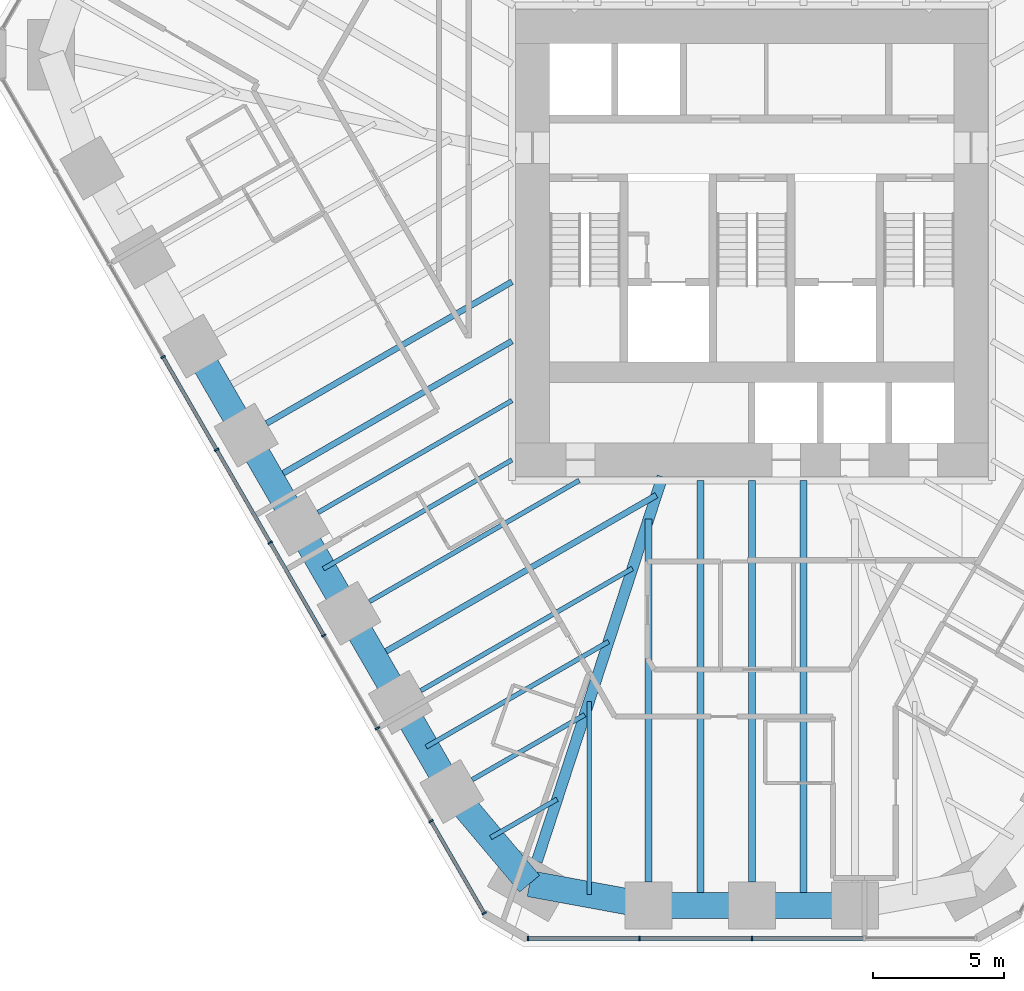
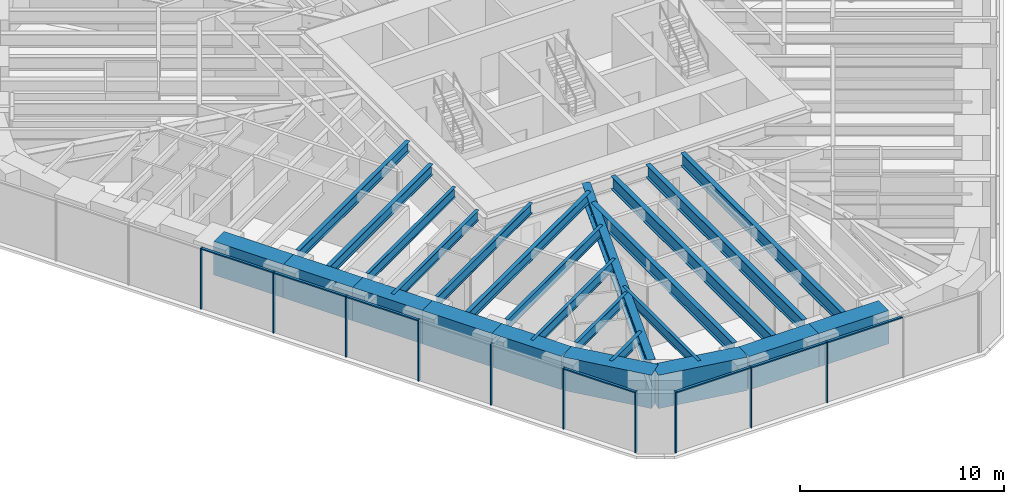
# One storey, part 2 of 17: 25 beams, 17 members, 2 elements without a shape of their own.
"""IFC4 building model written with IfcOpenShell, lengths in metres."""

from ifc_helpers import new_model, si_unit, direction, frame, origin, origin_2d, place, context, subcontext, project, spatial, rectangle, i_section, extrude, material, material_profile, profile_set, type_object, element, aggregate, save


model = new_model("IFC4")

# Units and contexts
model_context = context("Model", 3, precision=1e-05, world=origin(), true_north=direction((0.0, 1.0)))
body_context = subcontext(model_context, "Body", "Model", "MODEL_VIEW")
ifc_project = project(units=[si_unit("LENGTHUNIT", "METRE"), si_unit("AREAUNIT", "SQUARE_METRE"), si_unit("VOLUMEUNIT", "CUBIC_METRE"), si_unit("PLANEANGLEUNIT", "RADIAN"), si_unit("MASSUNIT", "GRAM", prefix="KILO")], contexts=[model_context])

# Site, building, storey
site_placement = place(None, origin())
site = spatial("IfcSite", under=ifc_project, at=site_placement, CompositionType="ELEMENT")
building_placement = place(site_placement, origin())
building = spatial("IfcBuilding", under=site, at=building_placement, Name="Sandreach Pilgrim Tower", CompositionType="ELEMENT")
storey_placement = place(building_placement, frame((0.0, 0.0, 146.199951171875)))
storey = spatial("IfcBuildingStorey", under=building, at=storey_placement, Name="L36", CompositionType="ELEMENT", Elevation=146.199951171875)

# Curtain wall, members
ifc_material_1 = material(Name="Aluminium framed curtain wall", Category="aluminium")
curtain_wall_type = type_object("IfcCurtainWallType", Name="Hotel tower curtain wall", PredefinedType="NOTDEFINED", material=ifc_material_1)
curtain_wall_1_placement = place(storey_placement, origin())
curtain_wall_1 = element("IfcCurtainWall", 1, at=curtain_wall_1_placement, inside=storey, type_object=curtain_wall_type, Name="CW-2 L36 S", PredefinedType="NOTDEFINED")
ifc_material_2 = material(Name="Aluminium extrusion", Category="aluminium")
ifc_material_profile_1 = material_profile(ifc_material_2, rectangle(XDim=0.06494140625, YDim=0.179931640625, at=origin_2d()), Name="CW-2M 65X180")
ifc_profile_set_1 = profile_set([ifc_material_profile_1], Name="Aluminium extrusion")
member_type_1 = type_object("IfcMemberType", Name="CW-2 mullion", PredefinedType="MULLION", material=ifc_profile_set_1)
member_1_placement = place(storey_placement, frame((0.0, -28.192138671875, 0.0), z_axis=(0.0, 0.0, 1.0), x_axis=(-1.0, 0.0, 0.0)))
member_1 = element("IfcMember", 2, at=member_1_placement, type_object=member_type_1, Name="CW-2 mullion 3", PredefinedType="MULLION", context=body_context, shape_type="SweptSolid", body=[
    extrude(rectangle(XDim=0.06494140625, YDim=0.179931640625, at=origin_2d()), origin(), (0.0, 0.0, 1.0), 3.64013671875),
])
member_2_placement = place(storey_placement, frame((-4.3056640625, -28.192138671875, 0.0), z_axis=(0.0, 0.0, 1.0), x_axis=(-1.0, 0.0, 0.0)))
member_2 = element("IfcMember", 3, at=member_2_placement, type_object=member_type_1, Name="CW-2 mullion 4", PredefinedType="MULLION", context=body_context, shape_type="SweptSolid", body=[
    extrude(rectangle(XDim=0.06494140625, YDim=0.179931640625, at=origin_2d()), origin(), (0.0, 0.0, 1.0), 3.64013671875),
])
member_3_placement = place(storey_placement, frame((-8.578857421875, -28.192138671875, 0.0), z_axis=(0.0, 0.0, 1.0), x_axis=(-1.0, 0.0, 0.0)))
member_3 = element("IfcMember", 4, at=member_3_placement, type_object=member_type_1, Name="CW-2 mullion 5", PredefinedType="MULLION", context=body_context, shape_type="SweptSolid", body=[
    extrude(rectangle(XDim=0.06494140625, YDim=0.179931640625, at=origin_2d()), origin(), (0.0, 0.0, 1.0), 3.64013671875),
])

curtain_wall_2_placement = place(storey_placement, origin())
curtain_wall_2 = element("IfcCurtainWall", 5, at=curtain_wall_2_placement, inside=storey, type_object=curtain_wall_type, Name="CW-2 L36 SW", PredefinedType="NOTDEFINED")
member_4_placement = place(storey_placement, frame((-10.255859375, -27.22412109375, 0.0), z_axis=(0.0, 0.0, 1.0), x_axis=(-0.5, 0.866025403784, 0.0)))
member_4 = element("IfcMember", 6, at=member_4_placement, type_object=member_type_1, Name="CW-2 mullion 1", PredefinedType="MULLION", context=body_context, shape_type="SweptSolid", body=[
    extrude(rectangle(XDim=0.06494140625, YDim=0.179931640625, at=origin_2d()), origin(), (0.0, 0.0, 1.0), 3.64013671875),
])
member_5_placement = place(storey_placement, frame((-12.29296875, -23.695556640625, 0.0), z_axis=(0.0, 0.0, 1.0), x_axis=(-0.5, 0.866025403784, 0.0)))
member_5 = element("IfcMember", 7, at=member_5_placement, type_object=member_type_1, Name="CW-2 mullion 2", PredefinedType="MULLION", context=body_context, shape_type="SweptSolid", body=[
    extrude(rectangle(XDim=0.06494140625, YDim=0.179931640625, at=origin_2d()), origin(), (0.0, 0.0, 1.0), 3.64013671875),
])
member_6_placement = place(storey_placement, frame((-14.346435546875, -20.138671875, 0.0), z_axis=(0.0, 0.0, 1.0), x_axis=(-0.5, 0.866025403784, 0.0)))
member_6 = element("IfcMember", 8, at=member_6_placement, type_object=member_type_1, Name="CW-2 mullion 3", PredefinedType="MULLION", context=body_context, shape_type="SweptSolid", body=[
    extrude(rectangle(XDim=0.06494140625, YDim=0.179931640625, at=origin_2d()), origin(), (0.0, 0.0, 1.0), 3.64013671875),
])
member_7_placement = place(storey_placement, frame((-16.39990234375, -16.58203125, 0.0), z_axis=(0.0, 0.0, 1.0), x_axis=(-0.5, 0.866025403784, 0.0)))
member_7 = element("IfcMember", 9, at=member_7_placement, type_object=member_type_1, Name="CW-2 mullion 4", PredefinedType="MULLION", context=body_context, shape_type="SweptSolid", body=[
    extrude(rectangle(XDim=0.06494140625, YDim=0.179931640625, at=origin_2d()), origin(), (0.0, 0.0, 1.0), 3.64013671875),
])
member_8_placement = place(storey_placement, frame((-18.453369140625, -13.025146484375, 0.0), z_axis=(0.0, 0.0, 1.0), x_axis=(-0.5, 0.866025403784, 0.0)))
member_8 = element("IfcMember", 10, at=member_8_placement, type_object=member_type_1, Name="CW-2 mullion 5", PredefinedType="MULLION", context=body_context, shape_type="SweptSolid", body=[
    extrude(rectangle(XDim=0.06494140625, YDim=0.179931640625, at=origin_2d()), origin(), (0.0, 0.0, 1.0), 3.64013671875),
])
member_9_placement = place(storey_placement, frame((-20.5068359375, -9.468505859375, 0.0), z_axis=(0.0, 0.0, 1.0), x_axis=(-0.5, 0.866025403784, 0.0)))
member_9 = element("IfcMember", 11, at=member_9_placement, type_object=member_type_1, Name="CW-2 mullion 6", PredefinedType="MULLION", context=body_context, shape_type="SweptSolid", body=[
    extrude(rectangle(XDim=0.06494140625, YDim=0.179931640625, at=origin_2d()), origin(), (0.0, 0.0, 1.0), 3.64013671875),
])
member_10_placement = place(storey_placement, frame((-22.560302734375, -5.911865234375, 0.0), z_axis=(0.0, 0.0, 1.0), x_axis=(-0.5, 0.866025403784, 0.0)))
member_10 = element("IfcMember", 12, at=member_10_placement, type_object=member_type_1, Name="CW-2 mullion 7", PredefinedType="MULLION", context=body_context, shape_type="SweptSolid", body=[
    extrude(rectangle(XDim=0.06494140625, YDim=0.179931640625, at=origin_2d()), origin(), (0.0, 0.0, 1.0), 3.64013671875),
])

# Member
ifc_material_3 = material(Name="Aluminium extrusion", Category="aluminium")
ifc_material_profile_2 = material_profile(ifc_material_3, rectangle(XDim=0.139892578125, YDim=0.070068359375, at=origin_2d()), Name="CW-2T 140X70")
ifc_profile_set_2 = profile_set([ifc_material_profile_2], Name="Aluminium extrusion")
member_type_2 = type_object("IfcMemberType", Name="CW-2 transom", PredefinedType="USERDEFINED", material=ifc_profile_set_2)
member_11_placement = place(storey_placement, frame((4.273193359375, -28.192138671875, 3.60498046875), z_axis=(-1.0, 0.0, 0.0), x_axis=(0.0, -1.0, 0.0)))
member_11 = element("IfcMember", 13, at=member_11_placement, type_object=member_type_2, Name="CW-2 head transom 2", ObjectType="TRANSOM", PredefinedType="USERDEFINED", context=body_context, shape_type="SweptSolid", body=[
    extrude(rectangle(XDim=0.139892578125, YDim=0.070068359375, at=origin_2d()), origin(), (0.0, 0.0, 1.0), 4.24072265625),
])

member_12_placement = place(storey_placement, frame((-0.032470703125, -28.192138671875, 3.60498046875), z_axis=(-1.0, 0.0, 0.0), x_axis=(0.0, -1.0, 0.0)))
member_12 = element("IfcMember", 14, at=member_12_placement, type_object=member_type_2, Name="CW-2 head transom 3", ObjectType="TRANSOM", PredefinedType="USERDEFINED", context=body_context, shape_type="SweptSolid", body=[
    extrude(rectangle(XDim=0.139892578125, YDim=0.070068359375, at=origin_2d()), origin(), (0.0, 0.0, 1.0), 4.24072265625),
])

member_13_placement = place(storey_placement, frame((-4.338134765625, -28.192138671875, 3.60498046875), z_axis=(-1.0, 0.0, 0.0), x_axis=(0.0, -1.0, 0.0)))
member_13 = element("IfcMember", 15, at=member_13_placement, type_object=member_type_2, Name="CW-2 head transom 4", ObjectType="TRANSOM", PredefinedType="USERDEFINED", context=body_context, shape_type="SweptSolid", body=[
    extrude(rectangle(XDim=0.139892578125, YDim=0.070068359375, at=origin_2d()), origin(), (0.0, 0.0, 1.0), 4.208251953125),
])

aggregate(curtain_wall_1, [member_1, member_2, member_3, member_11, member_12, member_13])

member_14_placement = place(storey_placement, frame((-10.27197265625, -27.196044921875, 3.60498046875), z_axis=(-0.500015851672, 0.866016251624, 0.0), x_axis=(-0.866016251624, -0.500015851672, 0.0)))
member_14 = element("IfcMember", 16, at=member_14_placement, type_object=member_type_2, Name="CW-2 head transom 1", ObjectType="TRANSOM", PredefinedType="USERDEFINED", context=body_context, shape_type="SweptSolid", body=[
    extrude(rectangle(XDim=0.139892578125, YDim=0.070068359375, at=origin_2d()), origin(), (0.0, 0.0, 1.0), 4.009521484375),
])

member_15_placement = place(storey_placement, frame((-16.416259765625, -16.553955078125, 3.60498046875), z_axis=(-0.499997818338, 0.866026663364, 0.0), x_axis=(-0.866026663364, -0.499997818338, 0.0)))
member_15 = element("IfcMember", 17, at=member_15_placement, type_object=member_type_2, Name="CW-2 head transom 4", ObjectType="TRANSOM", PredefinedType="USERDEFINED", context=body_context, shape_type="SweptSolid", body=[
    extrude(rectangle(XDim=0.139892578125, YDim=0.070068359375, at=origin_2d()), origin(), (0.0, 0.0, 1.0), 4.0419921875),
])

member_16_placement = place(storey_placement, frame((-18.4697265625, -12.9970703125, 3.60498046875), z_axis=(-0.499997818338, 0.866026663364, 0.0), x_axis=(-0.866026663364, -0.499997818338, 0.0)))
member_16 = element("IfcMember", 18, at=member_16_placement, type_object=member_type_2, Name="CW-2 head transom 5", ObjectType="TRANSOM", PredefinedType="USERDEFINED", context=body_context, shape_type="SweptSolid", body=[
    extrude(rectangle(XDim=0.139892578125, YDim=0.070068359375, at=origin_2d()), origin(), (0.0, 0.0, 1.0), 4.0419921875),
])

member_17_placement = place(storey_placement, frame((-20.523193359375, -9.4404296875, 3.60498046875), z_axis=(-0.499997818338, 0.866026663364, 0.0), x_axis=(-0.866026663364, -0.499997818338, 0.0)))
member_17 = element("IfcMember", 19, at=member_17_placement, type_object=member_type_2, Name="CW-2 head transom 6", ObjectType="TRANSOM", PredefinedType="USERDEFINED", context=body_context, shape_type="SweptSolid", body=[
    extrude(rectangle(XDim=0.139892578125, YDim=0.070068359375, at=origin_2d()), origin(), (0.0, 0.0, 1.0), 4.0419921875),
])

aggregate(curtain_wall_2, [member_4, member_5, member_6, member_7, member_8, member_9, member_10, member_14, member_15, member_16, member_17])

# Beams
ifc_material_4 = material(Name="Steel ASTM A992 Grade 50", Category="steel")
ifc_material_profile_3 = material_profile(ifc_material_4, i_section(OverallWidth=0.421630859375, OverallDepth=0.937255859375, WebThickness=0.0224609375, FlangeThickness=0.039794921875, at=origin_2d()), Name="W36X282")
ifc_profile_set_3 = profile_set([ifc_material_profile_3], Name="Steel ASTM A992 Grade 50")
beam_type_1 = type_object("IfcBeamType", Name="Corner girder W36X282", PredefinedType="BEAM", material=ifc_profile_set_3)
beam_1_placement = place(storey_placement, frame((-8.238525390625, -25.23876953125, 3.17138671875), z_axis=(0.310307109519, 0.950636364643, 0.0), x_axis=(-0.950636364643, 0.310307109519, 0.0)))
element("IfcBeam", 20, at=beam_1_placement, inside=storey, type_object=beam_type_1, Name="BM L36 CG26", PredefinedType="BEAM", context=body_context, shape_type="SweptSolid", body=[
    extrude(i_section(OverallWidth=0.421630859375, OverallDepth=0.937255859375, WebThickness=0.0224609375, FlangeThickness=0.039794921875, at=origin_2d()), origin(), (0.0, 0.0, 1.0), 15.504150390625),
])
ifc_material_5 = material(Name="Steel ASTM A992 Grade 50", Category="steel")
ifc_material_profile_4 = material_profile(ifc_material_5, i_section(OverallWidth=0.1787109375, OverallDepth=0.60205078125, WebThickness=0.010986328125, FlangeThickness=0.014892578125, at=origin_2d()), Name="W24X62")
ifc_profile_set_4 = profile_set([ifc_material_profile_4], Name="Steel ASTM A992 Grade 50")
beam_type_2 = type_object("IfcBeamType", Name="Floor beam W24X62", PredefinedType="BEAM", material=ifc_profile_set_4)
beam_2_placement = place(storey_placement, frame((-10.714599609375, -22.109130859375, 3.339111328125), z_axis=(0.866024645457, 0.500001313459, 0.0), x_axis=(-0.500001313459, 0.866024645457, 0.0)))
element("IfcBeam", 21, at=beam_2_placement, inside=storey, type_object=beam_type_2, Name="BM L36 F27", PredefinedType="BEAM", context=body_context, shape_type="SweptSolid", body=[
    extrude(i_section(OverallWidth=0.1787109375, OverallDepth=0.60205078125, WebThickness=0.010986328125, FlangeThickness=0.014892578125, at=origin_2d()), origin(), (0.0, 0.0, 1.0), 4.9765625),
])
beam_3_placement = place(storey_placement, frame((-12.6845703125, -18.697265625, 3.339111328125), z_axis=(0.866012351917, 0.500022605817, 0.0), x_axis=(-0.500022605817, 0.866012351917, 0.0)))
element("IfcBeam", 22, at=beam_3_placement, inside=storey, type_object=beam_type_2, Name="BM L36 F28", PredefinedType="BEAM", context=body_context, shape_type="SweptSolid", body=[
    extrude(i_section(OverallWidth=0.1787109375, OverallDepth=0.60205078125, WebThickness=0.010986328125, FlangeThickness=0.014892578125, at=origin_2d()), origin(), (0.0, 0.0, 1.0), 9.3642578125),
])
beam_4_placement = place(storey_placement, frame((-14.654541015625, -15.28515625, 3.339111328125), z_axis=(0.866015659929, 0.500016876472, 0.0), x_axis=(-0.500016876472, 0.866015659929, 0.0)))
element("IfcBeam", 23, at=beam_4_placement, inside=storey, type_object=beam_type_2, Name="BM L36 F29", PredefinedType="BEAM", context=body_context, shape_type="SweptSolid", body=[
    extrude(i_section(OverallWidth=0.1787109375, OverallDepth=0.60205078125, WebThickness=0.010986328125, FlangeThickness=0.014892578125, at=origin_2d()), origin(), (0.0, 0.0, 1.0), 9.283447265625),
])
beam_5_placement = place(storey_placement, frame((-16.62451171875, -11.873046875, 3.339111328125), z_axis=(0.866017857595, 0.500013070155, 0.0), x_axis=(-0.500013070155, 0.866017857595, 0.0)))
element("IfcBeam", 24, at=beam_5_placement, inside=storey, type_object=beam_type_2, Name="BM L36 F30", PredefinedType="BEAM", context=body_context, shape_type="SweptSolid", body=[
    extrude(i_section(OverallWidth=0.1787109375, OverallDepth=0.60205078125, WebThickness=0.010986328125, FlangeThickness=0.014892578125, at=origin_2d()), origin(), (0.0, 0.0, 1.0), 8.580810546875),
])
beam_6_placement = place(storey_placement, frame((-6.236572265625, -26.51318359375, 3.339111328125), z_axis=(0.0, 1.0, 0.0), x_axis=(-1.0, 0.0, 0.0)))
element("IfcBeam", 25, at=beam_6_placement, inside=storey, type_object=beam_type_2, Name="BM L36 FM25", PredefinedType="BEAM", context=body_context, shape_type="SweptSolid", body=[
    extrude(i_section(OverallWidth=0.1787109375, OverallDepth=0.60205078125, WebThickness=0.010986328125, FlangeThickness=0.014892578125, at=origin_2d()), origin(), (0.0, 0.0, 1.0), 7.40771484375),
])
beam_7_placement = place(storey_placement, frame((-10.006103515625, -24.326904296875, 3.339111328125), z_axis=(0.866015396618, 0.500017332519, 0.0), x_axis=(-0.500017332519, 0.866015396618, 0.0)))
element("IfcBeam", 26, at=beam_7_placement, inside=storey, type_object=beam_type_2, Name="BM L36 FM26", PredefinedType="BEAM", context=body_context, shape_type="SweptSolid", body=[
    extrude(i_section(OverallWidth=0.1787109375, OverallDepth=0.60205078125, WebThickness=0.010986328125, FlangeThickness=0.014892578125, at=origin_2d()), origin(), (0.0, 0.0, 1.0), 2.9384765625),
])
beam_8_placement = place(storey_placement, frame((-12.47900390625, -20.853271484375, 3.339111328125), z_axis=(0.866017328257, 0.500013986963, 0.0), x_axis=(-0.500013986963, 0.866017328257, 0.0)))
element("IfcBeam", 27, at=beam_8_placement, inside=storey, type_object=beam_type_2, Name="BM L36 FM27", PredefinedType="BEAM", context=body_context, shape_type="SweptSolid", body=[
    extrude(i_section(OverallWidth=0.1787109375, OverallDepth=0.60205078125, WebThickness=0.010986328125, FlangeThickness=0.014892578125, at=origin_2d()), origin(), (0.0, 0.0, 1.0), 8.070556640625),
])
beam_9_placement = place(storey_placement, frame((-16.4189453125, -14.029052734375, 3.339111328125), z_axis=(0.866016009309, 0.500016271356, 0.0), x_axis=(-0.500016271356, 0.866016009309, 0.0)))
element("IfcBeam", 28, at=beam_9_placement, inside=storey, type_object=beam_type_2, Name="BM L36 FM29", PredefinedType="BEAM", context=body_context, shape_type="SweptSolid", body=[
    extrude(i_section(OverallWidth=0.1787109375, OverallDepth=0.60205078125, WebThickness=0.010986328125, FlangeThickness=0.014892578125, at=origin_2d()), origin(), (0.0, 0.0, 1.0), 8.343505859375),
])
ifc_material_6 = material(Name="Steel ASTM A992 Grade 50", Category="steel")
ifc_material_profile_5 = material_profile(ifc_material_6, i_section(OverallWidth=0.23046875, OverallDepth=0.6171875, WebThickness=0.01318359375, FlangeThickness=0.022216796875, at=origin_2d()), Name="W24X94")
ifc_profile_set_5 = profile_set([ifc_material_profile_5], Name="Steel ASTM A992 Grade 50")
beam_type_3 = type_object("IfcBeamType", Name="Floor beam W24X94", PredefinedType="BEAM", material=ifc_profile_set_5)
beam_10_placement = place(storey_placement, frame((-18.594482421875, -8.4609375, 3.33154296875), z_axis=(0.866015926388, 0.500016414973, 0.0), x_axis=(-0.500016414973, 0.866015926388, 0.0)))
element("IfcBeam", 29, at=beam_10_placement, inside=storey, type_object=beam_type_3, Name="BM L36 F31", PredefinedType="BEAM", context=body_context, shape_type="SweptSolid", body=[
    extrude(i_section(OverallWidth=0.23046875, OverallDepth=0.6171875, WebThickness=0.01318359375, FlangeThickness=0.022216796875, at=origin_2d()), origin(), (0.0, 0.0, 1.0), 10.855712890625),
])
beam_11_placement = place(storey_placement, frame((-14.448974609375, -17.441162109375, 3.33154296875), z_axis=(0.866019150617, 0.500010830648, 0.0), x_axis=(-0.500010830648, 0.866019150617, 0.0)))
element("IfcBeam", 30, at=beam_11_placement, inside=storey, type_object=beam_type_3, Name="BM L36 FM28", PredefinedType="BEAM", context=body_context, shape_type="SweptSolid", body=[
    extrude(i_section(OverallWidth=0.23046875, OverallDepth=0.6171875, WebThickness=0.01318359375, FlangeThickness=0.022216796875, at=origin_2d()), origin(), (0.0, 0.0, 1.0), 12.458251953125),
])
beam_12_placement = place(storey_placement, frame((-18.388916015625, -10.616943359375, 3.33154296875), z_axis=(0.866024387147, 0.500001760863, 0.0), x_axis=(-0.500001760863, 0.866024387147, 0.0)))
element("IfcBeam", 31, at=beam_12_placement, inside=storey, type_object=beam_type_3, Name="BM L36 FM30", PredefinedType="BEAM", context=body_context, shape_type="SweptSolid", body=[
    extrude(i_section(OverallWidth=0.23046875, OverallDepth=0.6171875, WebThickness=0.01318359375, FlangeThickness=0.022216796875, at=origin_2d()), origin(), (0.0, 0.0, 1.0), 10.6181640625),
])
ifc_material_7 = material(Name="Steel ASTM A992 Grade 50", Category="steel")
ifc_material_profile_6 = material_profile(ifc_material_7, i_section(OverallWidth=0.2666015625, OverallDepth=0.761962890625, WebThickness=0.014404296875, FlangeThickness=0.021484375, at=origin_2d()), Name="W30X116")
ifc_profile_set_6 = profile_set([ifc_material_profile_6], Name="Steel ASTM A992 Grade 50")
beam_type_4 = type_object("IfcBeamType", Name="Floor beam W30X116", PredefinedType="BEAM", material=ifc_profile_set_6)
beam_13_placement = place(storey_placement, frame((-3.955322265625, -26.0322265625, 3.259033203125), z_axis=(0.0, 1.0, 0.0), x_axis=(-1.0, 0.0, 0.0)))
element("IfcBeam", 32, at=beam_13_placement, inside=storey, type_object=beam_type_4, Name="BM L36 F25", PredefinedType="BEAM", context=body_context, shape_type="SweptSolid", body=[
    extrude(i_section(OverallWidth=0.2666015625, OverallDepth=0.761962890625, WebThickness=0.014404296875, FlangeThickness=0.021484375, at=origin_2d()), origin(), (0.0, 0.0, 1.0), 13.91552734375),
])
ifc_material_8 = material(Name="Steel ASTM A992 Grade 50", Category="steel")
ifc_material_profile_7 = material_profile(ifc_material_8, i_section(OverallWidth=0.2666015625, OverallDepth=0.77978515625, WebThickness=0.0166015625, FlangeThickness=0.030029296875, at=origin_2d()), Name="W30X148")
ifc_profile_set_7 = profile_set([ifc_material_profile_7], Name="Steel ASTM A992 Grade 50")
beam_type_5 = type_object("IfcBeamType", Name="Floor beam W30X148", PredefinedType="BEAM", material=ifc_profile_set_7)
beam_14_placement = place(storey_placement, frame((0.0, -26.0322265625, 3.250244140625), z_axis=(0.0, 1.0, 0.0), x_axis=(-1.0, 0.0, 0.0)))
element("IfcBeam", 33, at=beam_14_placement, inside=storey, type_object=beam_type_5, Name="BM L36 F24", PredefinedType="BEAM", context=body_context, shape_type="SweptSolid", body=[
    extrude(i_section(OverallWidth=0.2666015625, OverallDepth=0.77978515625, WebThickness=0.0166015625, FlangeThickness=0.030029296875, at=origin_2d()), origin(), (0.0, 0.0, 1.0), 15.388916015625),
])
for number, where, z_axis, x_axis, name in (
    (34, (1.9775390625, -26.93212890625, 3.250244140625), (0.0, 1.0, 0.0), (-1.0, 0.0, 0.0), "BM L36 FM23"),
    (35, (-1.9775390625, -26.93212890625, 3.250244140625), (0.0, 1.0, 0.0), (-1.0, 0.0, 0.0), "BM L36 FM24"),
):
    element("IfcBeam", number, at=place(storey_placement, frame(where, z_axis=z_axis, x_axis=x_axis)), inside=storey, type_object=beam_type_5, Name=name, PredefinedType="BEAM", context=body_context, shape_type="SweptSolid", body=[
        extrude(i_section(OverallWidth=0.2666015625, OverallDepth=0.77978515625, WebThickness=0.0166015625, FlangeThickness=0.030029296875, at=origin_2d()), origin(), (0.0, 0.0, 1.0), 16.288818359375),
    ])
ifc_material_9 = material(Name="Concrete 10000 psi", Category="concrete")
ifc_material_profile_8 = material_profile(ifc_material_9, rectangle(XDim=1.0, YDim=2.0, at=origin_2d()), Name="RC1000X2000")
ifc_profile_set_8 = profile_set([ifc_material_profile_8], Name="Concrete 10000 psi")
beam_type_6 = type_object("IfcBeamType", Name="Spandrel beam RC1000X2000", PredefinedType="SPANDREL", material=ifc_profile_set_8)
for number, where, z_axis, x_axis, name in (
    (36, (3.955322265625, -26.93212890625, 2.64013671875), (-1.0, 0.0, 0.0), (0.0, -1.0, 0.0), "BM L36 SP23"),
    (37, (0.0, -26.93212890625, 2.64013671875), (-1.0, 0.0, 0.0), (0.0, -1.0, 0.0), "BM L36 SP24"),
):
    element("IfcBeam", number, at=place(storey_placement, frame(where, z_axis=z_axis, x_axis=x_axis)), inside=storey, type_object=beam_type_6, Name=name, PredefinedType="SPANDREL", context=body_context, shape_type="SweptSolid", body=[
        extrude(rectangle(XDim=1.0, YDim=2.0, at=origin_2d()), origin(), (0.0, 0.0, 1.0), 3.955322265625),
    ])
beam_15_placement = place(storey_placement, frame((-3.955322265625, -26.93212890625, 2.64013671875), z_axis=(-0.983551746136, 0.180626583516, 0.0), x_axis=(-0.180626583516, -0.983551746136, 0.0)))
element("IfcBeam", 38, at=beam_15_placement, inside=storey, type_object=beam_type_6, Name="BM L36 SP25", PredefinedType="SPANDREL", context=body_context, shape_type="SweptSolid", body=[
    extrude(rectangle(XDim=1.0, YDim=2.0, at=origin_2d()), origin(), (0.0, 0.0, 1.0), 4.638916015625),
])
beam_16_placement = place(storey_placement, frame((-8.517822265625, -26.09423828125, 2.64013671875), z_axis=(-0.644078801547, 0.764959147535, 0.0), x_axis=(-0.764959147535, -0.644078801547, 0.0)))
element("IfcBeam", 39, at=beam_16_placement, inside=storey, type_object=beam_type_6, Name="BM L36 SP26", PredefinedType="SPANDREL", context=body_context, shape_type="SweptSolid", body=[
    extrude(rectangle(XDim=1.0, YDim=2.0, at=origin_2d()), origin(), (0.0, 0.0, 1.0), 4.62109375),
])
for number, where, z_axis, x_axis, name in (
    (40, (-11.494140625, -22.559326171875, 2.64013671875), (-0.49999779889, 0.866026674592, 0.0), (-0.866026674592, -0.49999779889, 0.0), "BM L36 SP27"),
    (41, (-13.464111328125, -19.147216796875, 2.64013671875), (-0.49999779889, 0.866026674592, 0.0), (-0.866026674592, -0.49999779889, 0.0), "BM L36 SP28"),
    (42, (-15.43408203125, -15.735107421875, 2.64013671875), (-0.49999779889, 0.866026674592, 0.0), (-0.866026674592, -0.49999779889, 0.0), "BM L36 SP29"),
    (43, (-17.404052734375, -12.322998046875, 2.64013671875), (-0.49999779889, 0.866026674592, 0.0), (-0.866026674592, -0.49999779889, 0.0), "BM L36 SP30"),
    (44, (-19.3740234375, -8.910888671875, 2.64013671875), (-0.49999779889, 0.866026674592, 0.0), (-0.866026674592, -0.49999779889, 0.0), "BM L36 SP31"),
):
    element("IfcBeam", number, at=place(storey_placement, frame(where, z_axis=z_axis, x_axis=x_axis)), inside=storey, type_object=beam_type_6, Name=name, PredefinedType="SPANDREL", context=body_context, shape_type="SweptSolid", body=[
        extrude(rectangle(XDim=1.0, YDim=2.0, at=origin_2d()), origin(), (0.0, 0.0, 1.0), 3.93994140625),
    ])

save(model, "model.ifc")
